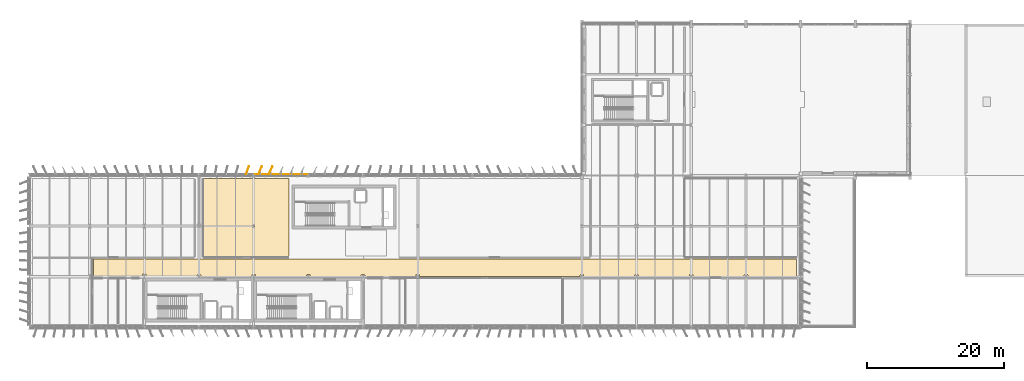
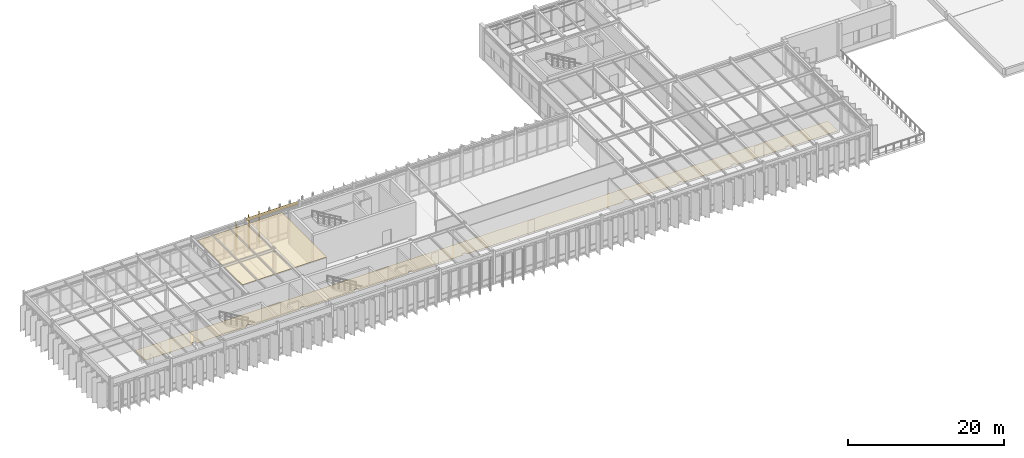
# One storey, part 43 of 48: 6 coverings.
"""IFC4 building model written with IfcOpenShell, lengths in metres."""

from ifc_helpers import new_model, si_unit, direction, frame, frame_2d, origin, origin_2d, place, context, subcontext, project, spatial, polyline, rectangle, outline, extrude, material, layer, layer_set, type_object, element, save


model = new_model("IFC4")

# Units and contexts
model_context = context("Model", 3, precision=1e-05, world=origin(), true_north=direction((0.0, 1.0)))
body_context = subcontext(model_context, "Body", "Model", "MODEL_VIEW")
ifc_project = project(units=[si_unit("LENGTHUNIT", "METRE"), si_unit("AREAUNIT", "SQUARE_METRE"), si_unit("VOLUMEUNIT", "CUBIC_METRE"), si_unit("PLANEANGLEUNIT", "RADIAN"), si_unit("MASSUNIT", "GRAM", prefix="KILO")], contexts=[model_context])

# Site, building, storey
site_placement = place(None, origin())
site = spatial("IfcSite", under=ifc_project, at=site_placement, CompositionType="ELEMENT")
building_placement = place(site_placement, origin())
building = spatial("IfcBuilding", under=site, at=building_placement, Name="Valkorina Park Police Headquarters", CompositionType="ELEMENT")
storey_placement = place(building_placement, frame((0.0, 0.0, 18.10009765625)))
storey = spatial("IfcBuildingStorey", under=building, at=storey_placement, Name="L05", CompositionType="ELEMENT", Elevation=18.10009765625)

# Coverings
ifc_material_1 = material(Name="Acoustic mineral board")
ifc_layer_1 = layer(ifc_material_1, 0.02490234375)
ifc_layer_set_1 = layer_set([ifc_layer_1], Name="Acoustic mineral board")
covering_type_1 = type_object("IfcCoveringType", Name="COV-CEILING-ACOUST", PredefinedType="CEILING", material=ifc_layer_set_1)
covering_1_placement = place(storey_placement, frame((0.0, 0.0, 4.5048828125)))
element("IfcCovering", 1, at=covering_1_placement, inside=storey, type_object=covering_type_1, Name="Financial Fraud Investigation Unit Acoustic Suspended Ceiling", PredefinedType="CEILING", context=body_context, shape_type="SweptSolid", body=[
    extrude(outline(polyline([(37.8955078125, 58.758544921875), (37.8876953125, 58.759521484375), (37.8798828125, 58.760009765625), (25.52001953125, 58.760009765625), (25.51220703125, 58.759521484375), (25.50439453125, 58.758544921875), (25.496826171875, 58.756591796875), (25.489501953125, 58.75390625), (25.482421875, 58.75048828125), (25.4755859375, 58.74658203125), (25.46923828125, 58.74169921875), (25.46337890625, 58.736572265625), (25.458251953125, 58.730712890625), (25.45361328125, 58.724365234375), (25.449462890625, 58.7177734375), (25.446044921875, 58.710693359375), (25.443359375, 58.703125), (25.44140625, 58.695556640625), (25.4404296875, 58.687744140625), (25.43994140625, 58.679931640625), (25.43994140625, 47.320068359375), (25.4404296875, 47.312255859375), (25.44140625, 47.304443359375), (25.443359375, 47.296875), (25.446044921875, 47.289306640625), (25.449462890625, 47.2822265625), (25.45361328125, 47.275634765625), (25.458251953125, 47.269287109375), (25.46337890625, 47.263427734375), (25.46923828125, 47.25830078125), (25.4755859375, 47.25341796875), (25.482421875, 47.24951171875), (25.489501953125, 47.24609375), (25.496826171875, 47.243408203125), (25.50439453125, 47.241455078125), (25.51220703125, 47.240478515625), (25.52001953125, 47.239990234375), (37.8798828125, 47.239990234375), (37.8876953125, 47.240478515625), (37.8955078125, 47.241455078125), (37.9033203125, 47.243408203125), (37.91064453125, 47.24609375), (37.917724609375, 47.24951171875), (37.92431640625, 47.25341796875), (37.930908203125, 47.25830078125), (37.9365234375, 47.263427734375), (37.94189453125, 47.269287109375), (37.946533203125, 47.275634765625), (37.95068359375, 47.2822265625), (37.953857421875, 47.289306640625), (37.95654296875, 47.296875), (37.95849609375, 47.304443359375), (37.959716796875, 47.312255859375), (37.9599609375, 47.320068359375), (37.9599609375, 58.679931640625), (37.959716796875, 58.687744140625), (37.95849609375, 58.695556640625), (37.95654296875, 58.703125), (37.953857421875, 58.710693359375), (37.95068359375, 58.7177734375), (37.946533203125, 58.724365234375), (37.94189453125, 58.730712890625), (37.9365234375, 58.736572265625), (37.930908203125, 58.74169921875), (37.92431640625, 58.74658203125), (37.917724609375, 58.75048828125), (37.91064453125, 58.75390625), (37.9033203125, 58.756591796875), (37.8955078125, 58.758544921875)]), holes=[polyline([(32.949951171875, 51.97998046875), (32.949951171875, 51.6201171875), (32.64990234375, 51.6201171875), (32.64990234375, 51.97998046875), (32.949951171875, 51.97998046875)])]), origin(), (0.0, 0.0, 1.0), 0.02490234375),
])
ifc_material_2 = material(Name="Precast concrete C40/50", Category="concrete")
ifc_layer_2 = layer(ifc_material_2, 0.044921875)
ifc_layer_set_2 = layer_set([ifc_layer_2], Name="Precast concrete C40/50")
covering_type_2 = type_object("IfcCoveringType", Name="COV-CLAD-DOLOMITE", PredefinedType="CLADDING", material=ifc_layer_set_2)
covering_2_placement = place(storey_placement, frame((32.9599609375, 59.360107421875, 4.52001953125), z_axis=(0.0, 0.0, 1.0), x_axis=(1.0, 0.0, 0.0)))
element("IfcCovering", 2, at=covering_2_placement, inside=storey, type_object=covering_type_2, Name="L05 Spandrel Beam Insulated Fascia 2417", PredefinedType="CLADDING", context=body_context, shape_type="SweptSolid", body=[
    extrude(rectangle(XDim=7.679931640625, YDim=0.044921875, at=frame_2d((3.83984375, 0.0))), origin(), (0.0, 0.0, 1.0), 0.4599609375),
])
ifc_material_3 = material(Name="Resin terrazzo flooring")
ifc_layer_3 = layer(ifc_material_3, 0.030029296875)
ifc_layer_set_3 = layer_set([ifc_layer_3], Name="Resin terrazzo flooring")
covering_type_3 = type_object("IfcCoveringType", Name="COV-FLOOR-TERRAZZO", PredefinedType="FLOORING", material=ifc_layer_set_3)
covering_3_placement = place(storey_placement, origin())
element("IfcCovering", 3, at=covering_3_placement, inside=storey, type_object=covering_type_3, Name="L05 Cyber and Command Wing Corridor Terrazzo Flooring", PredefinedType="FLOORING", context=body_context, shape_type="SweptSolid", body=[
    extrude(outline(polyline([(9.39990234375, 47.0), (9.39990234375, 44.39990234375), (16.530029296875, 44.39990234375), (16.530029296875, 44.739990234375), (16.530517578125, 44.747802734375), (16.531494140625, 44.755615234375), (16.533447265625, 44.76318359375), (16.5361328125, 44.7705078125), (16.539306640625, 44.777587890625), (16.54345703125, 44.784423828125), (16.548095703125, 44.790771484375), (16.553466796875, 44.796630859375), (16.55908203125, 44.8017578125), (16.565673828125, 44.806396484375), (16.572265625, 44.810546875), (16.579345703125, 44.81396484375), (16.5869140625, 44.816650390625), (16.594482421875, 44.818603515625), (16.602294921875, 44.819580078125), (16.610107421875, 44.820068359375), (16.989990234375, 44.820068359375), (16.997802734375, 44.819580078125), (17.005615234375, 44.818603515625), (17.01318359375, 44.816650390625), (17.0205078125, 44.81396484375), (17.027587890625, 44.810546875), (17.034423828125, 44.806396484375), (17.040771484375, 44.8017578125), (17.046630859375, 44.796630859375), (17.0517578125, 44.790771484375), (17.056396484375, 44.784423828125), (17.060546875, 44.777587890625), (17.06396484375, 44.7705078125), (17.066650390625, 44.76318359375), (17.068603515625, 44.755615234375), (17.069580078125, 44.747802734375), (17.070068359375, 44.739990234375), (17.070068359375, 44.39990234375), (24.530029296875, 44.39990234375), (24.530029296875, 44.6201171875), (24.530517578125, 44.627685546875), (24.531494140625, 44.635498046875), (24.533447265625, 44.643310546875), (24.5361328125, 44.650634765625), (24.539306640625, 44.65771484375), (24.54345703125, 44.664306640625), (24.548095703125, 44.6708984375), (24.553466796875, 44.676513671875), (24.55908203125, 44.681884765625), (24.565673828125, 44.6865234375), (24.572265625, 44.690673828125), (24.579345703125, 44.69384765625), (24.5869140625, 44.696533203125), (24.594482421875, 44.698486328125), (24.602294921875, 44.69970703125), (24.610107421875, 44.699951171875), (24.989990234375, 44.699951171875), (24.997802734375, 44.69970703125), (25.005615234375, 44.698486328125), (25.01318359375, 44.696533203125), (25.0205078125, 44.69384765625), (25.027587890625, 44.690673828125), (25.034423828125, 44.6865234375), (25.040771484375, 44.681884765625), (25.046630859375, 44.676513671875), (25.0517578125, 44.6708984375), (25.056396484375, 44.664306640625), (25.060546875, 44.65771484375), (25.06396484375, 44.650634765625), (25.066650390625, 44.643310546875), (25.068603515625, 44.635498046875), (25.069580078125, 44.627685546875), (25.070068359375, 44.6201171875), (25.070068359375, 44.39990234375), (32.530029296875, 44.39990234375), (32.530029296875, 44.6201171875), (32.530517578125, 44.627685546875), (32.531494140625, 44.635498046875), (32.533447265625, 44.643310546875), (32.5361328125, 44.650634765625), (32.539306640625, 44.65771484375), (32.54345703125, 44.664306640625), (32.548095703125, 44.6708984375), (32.553466796875, 44.676513671875), (32.55908203125, 44.681884765625), (32.565673828125, 44.6865234375), (32.572265625, 44.690673828125), (32.579345703125, 44.69384765625), (32.5869140625, 44.696533203125), (32.594482421875, 44.698486328125), (32.602294921875, 44.69970703125), (32.610107421875, 44.699951171875), (32.989990234375, 44.699951171875), (32.997802734375, 44.69970703125), (33.005615234375, 44.698486328125), (33.01318359375, 44.696533203125), (33.0205078125, 44.69384765625), (33.027587890625, 44.690673828125), (33.034423828125, 44.6865234375), (33.040771484375, 44.681884765625), (33.046630859375, 44.676513671875), (33.0517578125, 44.6708984375), (33.056396484375, 44.664306640625), (33.060546875, 44.65771484375), (33.06396484375, 44.650634765625), (33.066650390625, 44.643310546875), (33.068603515625, 44.635498046875), (33.069580078125, 44.627685546875), (33.070068359375, 44.6201171875), (33.070068359375, 44.39990234375), (40.530029296875, 44.39990234375), (40.530029296875, 44.6201171875), (40.530517578125, 44.627685546875), (40.531494140625, 44.635498046875), (40.533447265625, 44.643310546875), (40.5361328125, 44.650634765625), (40.539306640625, 44.65771484375), (40.54345703125, 44.664306640625), (40.548095703125, 44.6708984375), (40.553466796875, 44.676513671875), (40.55908203125, 44.681884765625), (40.565673828125, 44.6865234375), (40.572265625, 44.690673828125), (40.579345703125, 44.69384765625), (40.5869140625, 44.696533203125), (40.594482421875, 44.698486328125), (40.602294921875, 44.69970703125), (40.610107421875, 44.699951171875), (40.989990234375, 44.699951171875), (40.997802734375, 44.69970703125), (41.005615234375, 44.698486328125), (41.01318359375, 44.696533203125), (41.0205078125, 44.69384765625), (41.027587890625, 44.690673828125), (41.034423828125, 44.6865234375), (41.040771484375, 44.681884765625), (41.046630859375, 44.676513671875), (41.0517578125, 44.6708984375), (41.056396484375, 44.664306640625), (41.060546875, 44.65771484375), (41.06396484375, 44.650634765625), (41.066650390625, 44.643310546875), (41.068603515625, 44.635498046875), (41.069580078125, 44.627685546875), (41.070068359375, 44.6201171875), (41.070068359375, 44.39990234375), (48.530029296875, 44.39990234375), (48.530029296875, 44.6201171875), (48.530517578125, 44.627685546875), (48.531494140625, 44.635498046875), (48.533447265625, 44.643310546875), (48.5361328125, 44.650634765625), (48.539306640625, 44.65771484375), (48.54345703125, 44.664306640625), (48.548095703125, 44.6708984375), (48.553466796875, 44.676513671875), (48.55908203125, 44.681884765625), (48.565673828125, 44.6865234375), (48.572265625, 44.690673828125), (48.579345703125, 44.69384765625), (48.5869140625, 44.696533203125), (48.594482421875, 44.698486328125), (48.602294921875, 44.69970703125), (48.610107421875, 44.699951171875), (48.989990234375, 44.699951171875), (48.997802734375, 44.69970703125), (49.005615234375, 44.698486328125), (49.01318359375, 44.696533203125), (49.0205078125, 44.69384765625), (49.027587890625, 44.690673828125), (49.034423828125, 44.6865234375), (49.040771484375, 44.681884765625), (49.046630859375, 44.676513671875), (49.0517578125, 44.6708984375), (49.056396484375, 44.664306640625), (49.060546875, 44.65771484375), (49.06396484375, 44.650634765625), (49.066650390625, 44.643310546875), (49.068603515625, 44.635498046875), (49.069580078125, 44.627685546875), (49.070068359375, 44.6201171875), (49.070068359375, 44.39990234375), (56.530029296875, 44.39990234375), (56.530029296875, 44.6201171875), (56.530517578125, 44.627685546875), (56.531494140625, 44.635498046875), (56.533447265625, 44.643310546875), (56.5361328125, 44.650634765625), (56.539306640625, 44.65771484375), (56.54345703125, 44.664306640625), (56.548095703125, 44.6708984375), (56.553466796875, 44.676513671875), (56.55908203125, 44.681884765625), (56.565673828125, 44.6865234375), (56.572265625, 44.690673828125), (56.579345703125, 44.69384765625), (56.5869140625, 44.696533203125), (56.594482421875, 44.698486328125), (56.602294921875, 44.69970703125), (56.610107421875, 44.699951171875), (56.989990234375, 44.699951171875), (56.997802734375, 44.69970703125), (57.005615234375, 44.698486328125), (57.01318359375, 44.696533203125), (57.0205078125, 44.69384765625), (57.027587890625, 44.690673828125), (57.034423828125, 44.6865234375), (57.040771484375, 44.681884765625), (57.046630859375, 44.676513671875), (57.0517578125, 44.6708984375), (57.056396484375, 44.664306640625), (57.060546875, 44.65771484375), (57.06396484375, 44.650634765625), (57.066650390625, 44.643310546875), (57.068603515625, 44.635498046875), (57.069580078125, 44.627685546875), (57.070068359375, 44.6201171875), (57.070068359375, 44.39990234375), (80.530029296875, 44.39990234375), (80.530029296875, 44.6201171875), (80.530517578125, 44.627685546875), (80.531494140625, 44.635498046875), (80.533447265625, 44.643310546875), (80.5361328125, 44.650634765625), (80.539306640625, 44.65771484375), (80.54345703125, 44.664306640625), (80.548095703125, 44.6708984375), (80.553466796875, 44.676513671875), (80.55908203125, 44.681884765625), (80.565673828125, 44.6865234375), (80.572265625, 44.690673828125), (80.579345703125, 44.69384765625), (80.5869140625, 44.696533203125), (80.594482421875, 44.698486328125), (80.602294921875, 44.69970703125), (80.610107421875, 44.699951171875), (80.989990234375, 44.699951171875), (80.997802734375, 44.69970703125), (81.005615234375, 44.698486328125), (81.01318359375, 44.696533203125), (81.0205078125, 44.69384765625), (81.027587890625, 44.690673828125), (81.034423828125, 44.6865234375), (81.040771484375, 44.681884765625), (81.046630859375, 44.676513671875), (81.0517578125, 44.6708984375), (81.056396484375, 44.664306640625), (81.060546875, 44.65771484375), (81.06396484375, 44.650634765625), (81.066650390625, 44.643310546875), (81.068603515625, 44.635498046875), (81.069580078125, 44.627685546875), (81.070068359375, 44.6201171875), (81.070068359375, 44.39990234375), (88.530029296875, 44.39990234375), (88.530029296875, 44.6201171875), (88.530517578125, 44.627685546875), (88.531494140625, 44.635498046875), (88.533447265625, 44.643310546875), (88.5361328125, 44.650634765625), (88.539306640625, 44.65771484375), (88.54345703125, 44.664306640625), (88.548095703125, 44.6708984375), (88.553466796875, 44.676513671875), (88.55908203125, 44.681884765625), (88.565673828125, 44.6865234375), (88.572265625, 44.690673828125), (88.579345703125, 44.69384765625), (88.5869140625, 44.696533203125), (88.594482421875, 44.698486328125), (88.602294921875, 44.69970703125), (88.610107421875, 44.699951171875), (88.989990234375, 44.699951171875), (88.997802734375, 44.69970703125), (89.005615234375, 44.698486328125), (89.01318359375, 44.696533203125), (89.0205078125, 44.69384765625), (89.027587890625, 44.690673828125), (89.034423828125, 44.6865234375), (89.040771484375, 44.681884765625), (89.046630859375, 44.676513671875), (89.0517578125, 44.6708984375), (89.056396484375, 44.664306640625), (89.060546875, 44.65771484375), (89.06396484375, 44.650634765625), (89.066650390625, 44.643310546875), (89.068603515625, 44.635498046875), (89.069580078125, 44.627685546875), (89.070068359375, 44.6201171875), (89.070068359375, 44.39990234375), (96.530029296875, 44.39990234375), (96.530029296875, 44.6201171875), (96.530517578125, 44.627685546875), (96.531494140625, 44.635498046875), (96.533447265625, 44.643310546875), (96.5361328125, 44.650634765625), (96.539306640625, 44.65771484375), (96.54345703125, 44.664306640625), (96.548095703125, 44.6708984375), (96.553466796875, 44.676513671875), (96.55908203125, 44.681884765625), (96.565673828125, 44.6865234375), (96.572265625, 44.690673828125), (96.579345703125, 44.69384765625), (96.5869140625, 44.696533203125), (96.594482421875, 44.698486328125), (96.602294921875, 44.69970703125), (96.610107421875, 44.699951171875), (96.989990234375, 44.699951171875), (96.997802734375, 44.69970703125), (97.005615234375, 44.698486328125), (97.01318359375, 44.696533203125), (97.0205078125, 44.69384765625), (97.027587890625, 44.690673828125), (97.034423828125, 44.6865234375), (97.040771484375, 44.681884765625), (97.046630859375, 44.676513671875), (97.0517578125, 44.6708984375), (97.056396484375, 44.664306640625), (97.060546875, 44.65771484375), (97.06396484375, 44.650634765625), (97.066650390625, 44.643310546875), (97.068603515625, 44.635498046875), (97.069580078125, 44.627685546875), (97.070068359375, 44.6201171875), (97.070068359375, 44.39990234375), (104.530029296875, 44.39990234375), (104.530029296875, 44.6201171875), (104.530517578125, 44.627685546875), (104.531494140625, 44.635498046875), (104.533447265625, 44.643310546875), (104.5361328125, 44.650634765625), (104.539306640625, 44.65771484375), (104.54345703125, 44.664306640625), (104.548095703125, 44.6708984375), (104.553466796875, 44.676513671875), (104.55908203125, 44.681884765625), (104.565673828125, 44.6865234375), (104.572265625, 44.690673828125), (104.579345703125, 44.69384765625), (104.5869140625, 44.696533203125), (104.594482421875, 44.698486328125), (104.602294921875, 44.69970703125), (104.610107421875, 44.699951171875), (104.989990234375, 44.699951171875), (104.997802734375, 44.69970703125), (105.005615234375, 44.698486328125), (105.01318359375, 44.696533203125), (105.0205078125, 44.69384765625), (105.027587890625, 44.690673828125), (105.034423828125, 44.6865234375), (105.040771484375, 44.681884765625), (105.046630859375, 44.676513671875), (105.0517578125, 44.6708984375), (105.056396484375, 44.664306640625), (105.060546875, 44.65771484375), (105.06396484375, 44.650634765625), (105.066650390625, 44.643310546875), (105.068603515625, 44.635498046875), (105.069580078125, 44.627685546875), (105.070068359375, 44.6201171875), (105.070068359375, 44.39990234375), (112.199951171875, 44.39990234375), (112.199951171875, 47.0), (9.39990234375, 47.0)])), origin(), (0.0, 0.0, 1.0), 0.02978515625),
])
ifc_material_4 = material(Name="Polychrome anodized aluminium - Riga Ochre", Category="aluminium")
ifc_layer_4 = layer(ifc_material_4, 0.06494140625)
ifc_layer_set_4 = layer_set([ifc_layer_4], Name="Polychrome anodized aluminium - Riga Ochre")
covering_type_4 = type_object("IfcCoveringType", Name="SHD-LOUVRE-OCHRE", PredefinedType="CLADDING", material=ifc_layer_set_4)
covering_4_placement = place(storey_placement, frame((33.72802734375, 59.93994140625, 0.0400390625), z_axis=(0.0, 0.0, 1.0), x_axis=(0.405301148026, 0.914183230763, 0.0)))
element("IfcCovering", 4, at=covering_4_placement, inside=storey, type_object=covering_type_4, Name="V5 Polychrome Pivoting Louvre 0265", PredefinedType="CLADDING", context=body_context, shape_type="SweptSolid", body=[
    extrude(rectangle(XDim=1.280029296875, YDim=0.06494140625, at=origin_2d()), origin(), (0.0, 0.0, 1.0), 4.4599609375),
])
ifc_material_5 = material(Name="Polychrome anodized aluminium - Courland Slate Blue", Category="masonry")
ifc_layer_5 = layer(ifc_material_5, 0.06494140625)
ifc_layer_set_5 = layer_set([ifc_layer_5], Name="Polychrome anodized aluminium - Courland Slate Blue")
covering_type_5 = type_object("IfcCoveringType", Name="SHD-LOUVRE-SLATE", PredefinedType="CLADDING", material=ifc_layer_set_5)
covering_5_placement = place(storey_placement, frame((35.263916015625, 59.93994140625, 0.0400390625), z_axis=(0.0, 0.0, 1.0), x_axis=(0.438998516526, 0.898487786499, 0.0)))
element("IfcCovering", 5, at=covering_5_placement, inside=storey, type_object=covering_type_5, Name="V5 Polychrome Pivoting Louvre 0266", PredefinedType="CLADDING", context=body_context, shape_type="SweptSolid", body=[
    extrude(rectangle(XDim=1.280029296875, YDim=0.06494140625, at=origin_2d()), origin(), (0.0, 0.0, 1.0), 4.4599609375),
])
ifc_material_6 = material(Name="Polychrome anodized aluminium - Pine Verdigris", Category="aluminium")
ifc_layer_6 = layer(ifc_material_6, 0.06494140625)
ifc_layer_set_6 = layer_set([ifc_layer_6], Name="Polychrome anodized aluminium - Pine Verdigris")
covering_type_6 = type_object("IfcCoveringType", Name="SHD-LOUVRE-VERDIGRIS", PredefinedType="CLADDING", material=ifc_layer_set_6)
covering_6_placement = place(storey_placement, frame((31.8720703125, 59.93994140625, 0.0400390625), z_axis=(0.0, 0.0, 1.0), x_axis=(0.35282169456, 0.935690574842, 0.0)))
element("IfcCovering", 6, at=covering_6_placement, inside=storey, type_object=covering_type_6, Name="V5 Polychrome Pivoting Louvre 0264", PredefinedType="CLADDING", context=body_context, shape_type="SweptSolid", body=[
    extrude(rectangle(XDim=1.280029296875, YDim=0.06494140625, at=origin_2d()), origin(), (0.0, 0.0, 1.0), 4.010009765625),
])

save(model, "model.ifc")
